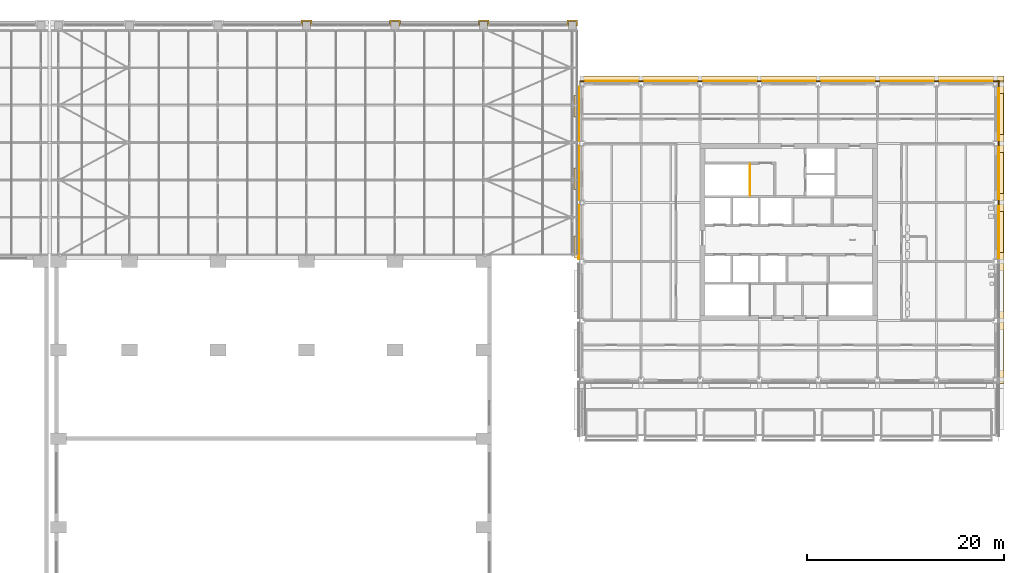
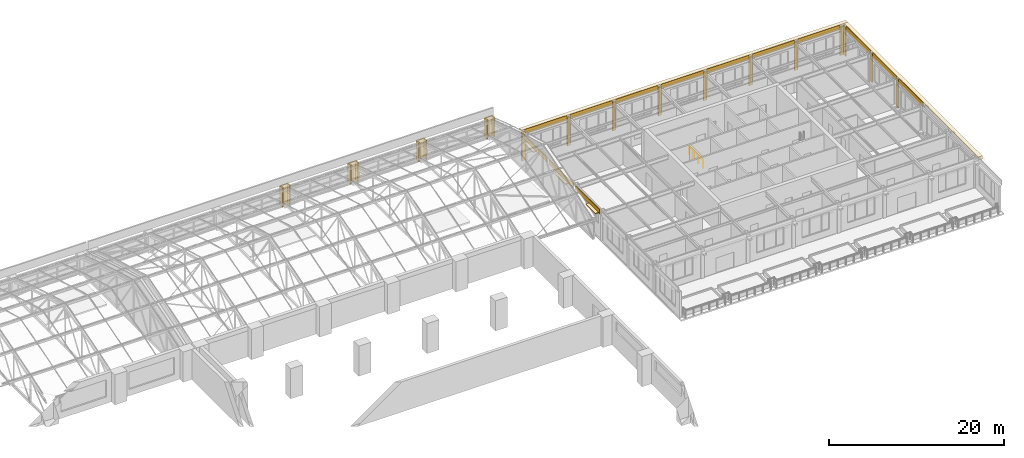
# One storey, part 81 of 82: 36 coverings, 1 railing.
"""IFC4 building model written with IfcOpenShell, lengths in metres."""

from ifc_helpers import new_model, si_unit, direction, frame, origin, origin_2d, place, context, subcontext, project, spatial, polyline, circle, outline, extrude, material, layer, layer_set, type_object, element, save


model = new_model("IFC4")

# Units and contexts
model_context = context("Model", 3, precision=1e-05, world=origin(), true_north=direction((0.0, 1.0)))
body_context = subcontext(model_context, "Body", "Model", "MODEL_VIEW")
ifc_project = project(units=[si_unit("LENGTHUNIT", "METRE"), si_unit("AREAUNIT", "SQUARE_METRE"), si_unit("VOLUMEUNIT", "CUBIC_METRE"), si_unit("PLANEANGLEUNIT", "RADIAN"), si_unit("MASSUNIT", "GRAM", prefix="KILO")], contexts=[model_context])

# Site, building, storey
site_placement = place(None, origin())
site = spatial("IfcSite", under=ifc_project, at=site_placement, CompositionType="ELEMENT")
building_placement = place(site_placement, origin())
building = spatial("IfcBuilding", under=site, at=building_placement, Name="Aravalli Gate Trade Fair Centre", CompositionType="ELEMENT")
storey_placement = place(building_placement, frame((0.0, 0.0, 19.199951171875)))
storey = spatial("IfcBuildingStorey", under=building, at=storey_placement, Name="L04", CompositionType="ELEMENT", Elevation=19.199951171875)

# Coverings
ifc_material_1 = material(Name="Glazed terracotta", Category="masonry")
ifc_layer_1 = layer(ifc_material_1, 0.14990234375)
ifc_layer_set_1 = layer_set([ifc_layer_1], Name="Glazed terracotta")
covering_type_1 = type_object("IfcCoveringType", Name="Terracotta pier casing 150", PredefinedType="CLADDING", material=ifc_layer_set_1)
covering_1_placement = place(storey_placement, origin())
element("IfcCovering", 1, at=covering_1_placement, inside=storey, type_object=covering_type_1, Name="Pier casing K15 L04", PredefinedType="CLADDING", context=body_context, shape_type="SweptSolid", body=[
    extrude(outline(polyline([(131.449951171875, 132.919921875), (131.60009765625, 132.919921875), (131.60009765625, 133.39990234375), (132.39990234375, 133.39990234375), (132.39990234375, 132.919921875), (132.550048828125, 132.919921875), (132.550048828125, 133.550048828125), (131.449951171875, 133.550048828125), (131.449951171875, 132.919921875)])), origin(), (0.0, 0.0, 1.0), 2.699951171875),
])
covering_2_placement = place(storey_placement, origin())
element("IfcCovering", 2, at=covering_2_placement, inside=storey, type_object=covering_type_1, Name="Pier casing K16 L04", PredefinedType="CLADDING", context=body_context, shape_type="SweptSolid", body=[
    extrude(outline(polyline([(140.449951171875, 132.919921875), (140.60009765625, 132.919921875), (140.60009765625, 133.39990234375), (141.39990234375, 133.39990234375), (141.39990234375, 132.919921875), (141.550048828125, 132.919921875), (141.550048828125, 133.550048828125), (140.449951171875, 133.550048828125), (140.449951171875, 132.919921875)])), origin(), (0.0, 0.0, 1.0), 2.699951171875),
])
covering_3_placement = place(storey_placement, origin())
element("IfcCovering", 3, at=covering_3_placement, inside=storey, type_object=covering_type_1, Name="Pier casing K17 L04", PredefinedType="CLADDING", context=body_context, shape_type="SweptSolid", body=[
    extrude(outline(polyline([(149.449951171875, 132.919921875), (149.60009765625, 132.919921875), (149.60009765625, 133.39990234375), (150.39990234375, 133.39990234375), (150.39990234375, 132.919921875), (150.550048828125, 132.919921875), (150.550048828125, 133.550048828125), (149.449951171875, 133.550048828125), (149.449951171875, 132.919921875)])), origin(), (0.0, 0.0, 1.0), 2.699951171875),
])
covering_4_placement = place(storey_placement, origin())
element("IfcCovering", 4, at=covering_4_placement, inside=storey, type_object=covering_type_1, Name="Pier casing KE L04", PredefinedType="CLADDING", context=body_context, shape_type="SweptSolid", body=[
    extrude(outline(polyline([(158.449951171875, 132.919921875), (158.60009765625, 132.919921875), (158.60009765625, 133.39990234375), (159.39990234375, 133.39990234375), (159.39990234375, 132.919921875), (159.550048828125, 132.919921875), (159.550048828125, 133.550048828125), (158.449951171875, 133.550048828125), (158.449951171875, 132.919921875)])), origin(), (0.0, 0.0, 1.0), 2.699951171875),
])
ifc_material_2 = material(Name="Terracotta", Category="masonry")
ifc_layer_2 = layer(ifc_material_2, 0.10009765625)
ifc_layer_set_2 = layer_set([ifc_layer_2], Name="Terracotta")
covering_type_2 = type_object("IfcCoveringType", Name="Wing chhajja hood 100", PredefinedType="MOLDING", material=ifc_layer_set_2)
covering_5_placement = place(storey_placement, frame((0.0, 0.0, 3.60009765625)))
element("IfcCovering", 5, at=covering_5_placement, inside=storey, type_object=covering_type_2, Name="Chhajja hood W3 L04", PredefinedType="MOLDING", context=body_context, shape_type="SweptSolid", body=[
    extrude(outline(polyline([(159.199951171875, 109.425048828125), (159.800048828125, 109.425048828125), (159.800048828125, 111.625), (159.199951171875, 111.625), (159.199951171875, 109.425048828125)])), origin(), (0.0, 0.0, 1.0), 0.099853515625),
])
covering_6_placement = place(storey_placement, frame((0.0, 0.0, 3.5)))
element("IfcCovering", 6, at=covering_6_placement, inside=storey, type_object=covering_type_2, Name="Chhajja hood W4 L04", PredefinedType="MOLDING", context=body_context, shape_type="SweptSolid", body=[
    extrude(outline(polyline([(159.199951171875, 116.324951171875), (159.800048828125, 116.324951171875), (159.800048828125, 118.52490234375), (159.199951171875, 118.52490234375), (159.199951171875, 116.324951171875)])), origin(), (0.0, 0.0, 1.0), 0.10009765625),
])
covering_7_placement = place(storey_placement, frame((0.0, 0.0, 3.5)))
element("IfcCovering", 7, at=covering_7_placement, inside=storey, type_object=covering_type_2, Name="Chhajja hood W5 L04", PredefinedType="MOLDING", context=body_context, shape_type="SweptSolid", body=[
    extrude(outline(polyline([(159.199951171875, 123.675048828125), (159.800048828125, 123.675048828125), (159.800048828125, 125.875), (159.199951171875, 125.875), (159.199951171875, 123.675048828125)])), origin(), (0.0, 0.0, 1.0), 0.10009765625),
])
covering_8_placement = place(storey_placement, frame((0.0, 0.0, 3.449951171875)))
element("IfcCovering", 8, at=covering_8_placement, inside=storey, type_object=covering_type_2, Name="Chhajja hood E3 L04", PredefinedType="MOLDING", context=body_context, shape_type="SweptSolid", body=[
    extrude(outline(polyline([(202.199951171875, 109.89990234375), (202.800048828125, 109.89990234375), (202.800048828125, 114.10009765625), (202.199951171875, 114.10009765625), (202.199951171875, 109.89990234375)])), origin(), (0.0, 0.0, 1.0), 0.10009765625),
])
covering_9_placement = place(storey_placement, frame((0.0, 0.0, 3.449951171875)))
element("IfcCovering", 9, at=covering_9_placement, inside=storey, type_object=covering_type_2, Name="Chhajja hood E4 L04", PredefinedType="MOLDING", context=body_context, shape_type="SweptSolid", body=[
    extrude(outline(polyline([(202.199951171875, 115.89990234375), (202.800048828125, 115.89990234375), (202.800048828125, 120.10009765625), (202.199951171875, 120.10009765625), (202.199951171875, 115.89990234375)])), origin(), (0.0, 0.0, 1.0), 0.10009765625),
])
covering_10_placement = place(storey_placement, frame((0.0, 0.0, 3.449951171875)))
element("IfcCovering", 10, at=covering_10_placement, inside=storey, type_object=covering_type_2, Name="Chhajja hood E5 L04", PredefinedType="MOLDING", context=body_context, shape_type="SweptSolid", body=[
    extrude(outline(polyline([(202.199951171875, 121.89990234375), (202.800048828125, 121.89990234375), (202.800048828125, 126.10009765625), (202.199951171875, 126.10009765625), (202.199951171875, 121.89990234375)])), origin(), (0.0, 0.0, 1.0), 0.10009765625),
])
ifc_material_3 = material(Name="Enamelled terracotta", Category="masonry")
ifc_layer_3 = layer(ifc_material_3, 0.39990234375)
ifc_layer_set_3 = layer_set([ifc_layer_3], Name="Enamelled terracotta")
covering_type_3 = type_object("IfcCoveringType", Name="Wing cornice course A", PredefinedType="MOLDING", material=ifc_layer_set_3)
covering_11_placement = place(storey_placement, frame((0.0, 0.0, 3.75)))
element("IfcCovering", 11, at=covering_11_placement, inside=storey, type_object=covering_type_3, Name="Cornice course A N", PredefinedType="MOLDING", context=body_context, shape_type="SweptSolid", body=[
    extrude(outline(polyline([(159.800048828125, 127.375), (202.875, 127.375), (202.875, 127.875), (159.800048828125, 127.875), (159.800048828125, 127.375)])), origin(), (0.0, 0.0, 1.0), 0.449951171875),
])
covering_12_placement = place(storey_placement, frame((0.0, 0.0, 3.75)))
element("IfcCovering", 12, at=covering_12_placement, inside=storey, type_object=covering_type_3, Name="Cornice course A E", PredefinedType="MOLDING", context=body_context, shape_type="SweptSolid", body=[
    extrude(outline(polyline([(202.375, 96.625), (202.875, 96.625), (202.875, 127.375), (202.375, 127.375), (202.375, 96.625)])), origin(), (0.0, 0.0, 1.0), 0.449951171875),
])
ifc_layer_4 = layer(ifc_material_1, 0.14990234375)
ifc_layer_set_4 = layer_set([ifc_layer_4], Name="Glazed terracotta")
covering_type_4 = type_object("IfcCoveringType", Name="Wing pier casing 150", PredefinedType="CLADDING", material=ifc_layer_set_4)
covering_13_placement = place(storey_placement, origin())
element("IfcCovering", 13, at=covering_13_placement, inside=storey, type_object=covering_type_4, Name="Pier casing 18T4 N L04", PredefinedType="CLADDING", context=body_context, shape_type="SweptSolid", body=[
    extrude(outline(polyline([(159.77490234375, 127.22509765625), (160.22509765625, 127.22509765625), (160.22509765625, 127.375), (159.77490234375, 127.375), (159.77490234375, 127.22509765625)])), origin(), (0.0, 0.0, 1.0), 4.0),
])
covering_14_placement = place(storey_placement, origin())
element("IfcCovering", 14, at=covering_14_placement, inside=storey, type_object=covering_type_4, Name="Pier casing 25T3 E L04", PredefinedType="CLADDING", context=body_context, shape_type="SweptSolid", body=[
    extrude(outline(polyline([(202.22509765625, 114.77490234375), (202.375, 114.77490234375), (202.375, 115.22509765625), (202.22509765625, 115.22509765625), (202.22509765625, 114.77490234375)])), origin(), (0.0, 0.0, 1.0), 4.0),
])
covering_15_placement = place(storey_placement, origin())
element("IfcCovering", 15, at=covering_15_placement, inside=storey, type_object=covering_type_4, Name="Pier casing 25J E L04", PredefinedType="CLADDING", context=body_context, shape_type="SweptSolid", body=[
    extrude(outline(polyline([(202.22509765625, 120.77490234375), (202.375, 120.77490234375), (202.375, 121.22509765625), (202.22509765625, 121.22509765625), (202.22509765625, 120.77490234375)])), origin(), (0.0, 0.0, 1.0), 4.0),
])
covering_16_placement = place(storey_placement, origin())
element("IfcCovering", 16, at=covering_16_placement, inside=storey, type_object=covering_type_4, Name="Pier casing 25T4 N L04", PredefinedType="CLADDING", context=body_context, shape_type="SweptSolid", body=[
    extrude(outline(polyline([(201.77490234375, 127.22509765625), (202.375, 127.22509765625), (202.375, 127.375), (201.77490234375, 127.375), (201.77490234375, 127.22509765625)])), origin(), (0.0, 0.0, 1.0), 4.0),
])
covering_17_placement = place(storey_placement, origin())
element("IfcCovering", 17, at=covering_17_placement, inside=storey, type_object=covering_type_4, Name="Pier casing 25T4 E L04", PredefinedType="CLADDING", context=body_context, shape_type="SweptSolid", body=[
    extrude(outline(polyline([(202.22509765625, 126.77490234375), (202.375, 126.77490234375), (202.375, 127.22509765625), (202.22509765625, 127.22509765625), (202.22509765625, 126.77490234375)])), origin(), (0.0, 0.0, 1.0), 4.0),
])
covering_18_placement = place(storey_placement, origin())
element("IfcCovering", 18, at=covering_18_placement, inside=storey, type_object=covering_type_4, Name="Pier casing 19T4 N L04", PredefinedType="CLADDING", context=body_context, shape_type="SweptSolid", body=[
    extrude(outline(polyline([(165.77490234375, 127.22509765625), (166.22509765625, 127.22509765625), (166.22509765625, 127.375), (165.77490234375, 127.375), (165.77490234375, 127.22509765625)])), origin(), (0.0, 0.0, 1.0), 4.0),
])
covering_19_placement = place(storey_placement, origin())
element("IfcCovering", 19, at=covering_19_placement, inside=storey, type_object=covering_type_4, Name="Pier casing 20T4 N L04", PredefinedType="CLADDING", context=body_context, shape_type="SweptSolid", body=[
    extrude(outline(polyline([(171.77490234375, 127.22509765625), (172.22509765625, 127.22509765625), (172.22509765625, 127.375), (171.77490234375, 127.375), (171.77490234375, 127.22509765625)])), origin(), (0.0, 0.0, 1.0), 4.0),
])
covering_20_placement = place(storey_placement, origin())
element("IfcCovering", 20, at=covering_20_placement, inside=storey, type_object=covering_type_4, Name="Pier casing 21T4 N L04", PredefinedType="CLADDING", context=body_context, shape_type="SweptSolid", body=[
    extrude(outline(polyline([(177.77490234375, 127.22509765625), (178.22509765625, 127.22509765625), (178.22509765625, 127.375), (177.77490234375, 127.375), (177.77490234375, 127.22509765625)])), origin(), (0.0, 0.0, 1.0), 4.0),
])
covering_21_placement = place(storey_placement, origin())
element("IfcCovering", 21, at=covering_21_placement, inside=storey, type_object=covering_type_4, Name="Pier casing 22T4 N L04", PredefinedType="CLADDING", context=body_context, shape_type="SweptSolid", body=[
    extrude(outline(polyline([(183.77490234375, 127.22509765625), (184.22509765625, 127.22509765625), (184.22509765625, 127.375), (183.77490234375, 127.375), (183.77490234375, 127.22509765625)])), origin(), (0.0, 0.0, 1.0), 4.0),
])
covering_22_placement = place(storey_placement, origin())
element("IfcCovering", 22, at=covering_22_placement, inside=storey, type_object=covering_type_4, Name="Pier casing 23T4 N L04", PredefinedType="CLADDING", context=body_context, shape_type="SweptSolid", body=[
    extrude(outline(polyline([(189.77490234375, 127.22509765625), (190.22509765625, 127.22509765625), (190.22509765625, 127.375), (189.77490234375, 127.375), (189.77490234375, 127.22509765625)])), origin(), (0.0, 0.0, 1.0), 4.0),
])
covering_23_placement = place(storey_placement, origin())
element("IfcCovering", 23, at=covering_23_placement, inside=storey, type_object=covering_type_4, Name="Pier casing 24T4 N L04", PredefinedType="CLADDING", context=body_context, shape_type="SweptSolid", body=[
    extrude(outline(polyline([(195.77490234375, 127.22509765625), (196.22509765625, 127.22509765625), (196.22509765625, 127.375), (195.77490234375, 127.375), (195.77490234375, 127.22509765625)])), origin(), (0.0, 0.0, 1.0), 4.0),
])
ifc_layer_5 = layer(ifc_material_1, 0.070068359375)
ifc_layer_set_5 = layer_set([ifc_layer_5], Name="Glazed terracotta")
covering_type_5 = type_object("IfcCoveringType", Name="Wing spandrel band 70", PredefinedType="CLADDING", material=ifc_layer_set_5)
covering_24_placement = place(storey_placement, frame((0.0, 0.0, 3.550048828125)))
element("IfcCovering", 24, at=covering_24_placement, inside=storey, type_object=covering_type_5, Name="Spandrel band N0 L04", PredefinedType="CLADDING", context=body_context, shape_type="SweptSolid", body=[
    extrude(outline(polyline([(160.22509765625, 127.304931640625), (165.77490234375, 127.304931640625), (165.77490234375, 127.375), (160.22509765625, 127.375), (160.22509765625, 127.304931640625)])), origin(), (0.0, 0.0, 1.0), 0.64990234375),
])
covering_25_placement = place(storey_placement, frame((0.0, 0.0, 3.550048828125)))
element("IfcCovering", 25, at=covering_25_placement, inside=storey, type_object=covering_type_5, Name="Spandrel band N1 L04", PredefinedType="CLADDING", context=body_context, shape_type="SweptSolid", body=[
    extrude(outline(polyline([(166.22509765625, 127.304931640625), (171.77490234375, 127.304931640625), (171.77490234375, 127.375), (166.22509765625, 127.375), (166.22509765625, 127.304931640625)])), origin(), (0.0, 0.0, 1.0), 0.64990234375),
])
covering_26_placement = place(storey_placement, frame((0.0, 0.0, 3.550048828125)))
element("IfcCovering", 26, at=covering_26_placement, inside=storey, type_object=covering_type_5, Name="Spandrel band N2 L04", PredefinedType="CLADDING", context=body_context, shape_type="SweptSolid", body=[
    extrude(outline(polyline([(172.22509765625, 127.304931640625), (177.77490234375, 127.304931640625), (177.77490234375, 127.375), (172.22509765625, 127.375), (172.22509765625, 127.304931640625)])), origin(), (0.0, 0.0, 1.0), 0.64990234375),
])
covering_27_placement = place(storey_placement, frame((0.0, 0.0, 3.550048828125)))
element("IfcCovering", 27, at=covering_27_placement, inside=storey, type_object=covering_type_5, Name="Spandrel band N3 L04", PredefinedType="CLADDING", context=body_context, shape_type="SweptSolid", body=[
    extrude(outline(polyline([(178.22509765625, 127.304931640625), (183.77490234375, 127.304931640625), (183.77490234375, 127.375), (178.22509765625, 127.375), (178.22509765625, 127.304931640625)])), origin(), (0.0, 0.0, 1.0), 0.64990234375),
])
covering_28_placement = place(storey_placement, frame((0.0, 0.0, 3.550048828125)))
element("IfcCovering", 28, at=covering_28_placement, inside=storey, type_object=covering_type_5, Name="Spandrel band N4 L04", PredefinedType="CLADDING", context=body_context, shape_type="SweptSolid", body=[
    extrude(outline(polyline([(184.22509765625, 127.304931640625), (189.77490234375, 127.304931640625), (189.77490234375, 127.375), (184.22509765625, 127.375), (184.22509765625, 127.304931640625)])), origin(), (0.0, 0.0, 1.0), 0.64990234375),
])
covering_29_placement = place(storey_placement, frame((0.0, 0.0, 3.550048828125)))
element("IfcCovering", 29, at=covering_29_placement, inside=storey, type_object=covering_type_5, Name="Spandrel band N5 L04", PredefinedType="CLADDING", context=body_context, shape_type="SweptSolid", body=[
    extrude(outline(polyline([(190.22509765625, 127.304931640625), (195.77490234375, 127.304931640625), (195.77490234375, 127.375), (190.22509765625, 127.375), (190.22509765625, 127.304931640625)])), origin(), (0.0, 0.0, 1.0), 0.64990234375),
])
covering_30_placement = place(storey_placement, frame((0.0, 0.0, 3.550048828125)))
element("IfcCovering", 30, at=covering_30_placement, inside=storey, type_object=covering_type_5, Name="Spandrel band N6 L04", PredefinedType="CLADDING", context=body_context, shape_type="SweptSolid", body=[
    extrude(outline(polyline([(196.22509765625, 127.304931640625), (201.77490234375, 127.304931640625), (201.77490234375, 127.375), (196.22509765625, 127.375), (196.22509765625, 127.304931640625)])), origin(), (0.0, 0.0, 1.0), 0.64990234375),
])
covering_31_placement = place(storey_placement, frame((0.0, 0.0, 3.550048828125)))
element("IfcCovering", 31, at=covering_31_placement, inside=storey, type_object=covering_type_5, Name="Spandrel band W3 L04", PredefinedType="CLADDING", context=body_context, shape_type="SweptSolid", body=[
    extrude(outline(polyline([(159.625, 109.22509765625), (159.695068359375, 109.22509765625), (159.695068359375, 114.77490234375), (159.625, 114.77490234375), (159.625, 109.22509765625)])), origin(), (0.0, 0.0, 1.0), 0.64990234375),
])
covering_32_placement = place(storey_placement, frame((0.0, 0.0, 3.550048828125)))
element("IfcCovering", 32, at=covering_32_placement, inside=storey, type_object=covering_type_5, Name="Spandrel band W4 L04", PredefinedType="CLADDING", context=body_context, shape_type="SweptSolid", body=[
    extrude(outline(polyline([(159.625, 115.22509765625), (159.695068359375, 115.22509765625), (159.695068359375, 120.77490234375), (159.625, 120.77490234375), (159.625, 115.22509765625)])), origin(), (0.0, 0.0, 1.0), 0.64990234375),
])
covering_33_placement = place(storey_placement, frame((0.0, 0.0, 3.550048828125)))
element("IfcCovering", 33, at=covering_33_placement, inside=storey, type_object=covering_type_5, Name="Spandrel band W5 L04", PredefinedType="CLADDING", context=body_context, shape_type="SweptSolid", body=[
    extrude(outline(polyline([(159.625, 121.22509765625), (159.695068359375, 121.22509765625), (159.695068359375, 126.77490234375), (159.625, 126.77490234375), (159.625, 121.22509765625)])), origin(), (0.0, 0.0, 1.0), 0.64990234375),
])
covering_34_placement = place(storey_placement, frame((0.0, 0.0, 3.550048828125)))
element("IfcCovering", 34, at=covering_34_placement, inside=storey, type_object=covering_type_5, Name="Spandrel band E3 L04", PredefinedType="CLADDING", context=body_context, shape_type="SweptSolid", body=[
    extrude(outline(polyline([(202.304931640625, 109.22509765625), (202.375, 109.22509765625), (202.375, 114.77490234375), (202.304931640625, 114.77490234375), (202.304931640625, 109.22509765625)])), origin(), (0.0, 0.0, 1.0), 0.64990234375),
])
covering_35_placement = place(storey_placement, frame((0.0, 0.0, 3.550048828125)))
element("IfcCovering", 35, at=covering_35_placement, inside=storey, type_object=covering_type_5, Name="Spandrel band E4 L04", PredefinedType="CLADDING", context=body_context, shape_type="SweptSolid", body=[
    extrude(outline(polyline([(202.304931640625, 115.22509765625), (202.375, 115.22509765625), (202.375, 120.77490234375), (202.304931640625, 120.77490234375), (202.304931640625, 115.22509765625)])), origin(), (0.0, 0.0, 1.0), 0.64990234375),
])
covering_36_placement = place(storey_placement, frame((0.0, 0.0, 3.550048828125)))
element("IfcCovering", 36, at=covering_36_placement, inside=storey, type_object=covering_type_5, Name="Spandrel band E5 L04", PredefinedType="CLADDING", context=body_context, shape_type="SweptSolid", body=[
    extrude(outline(polyline([(202.304931640625, 121.22509765625), (202.375, 121.22509765625), (202.375, 126.77490234375), (202.304931640625, 126.77490234375), (202.304931640625, 121.22509765625)])), origin(), (0.0, 0.0, 1.0), 0.64990234375),
])

# Railing
ifc_material_4 = material(Name="Steel E350", Category="steel")
railing_type = type_object("IfcRailingType", Name="Wing stair roof guard", PredefinedType="GUARDRAIL", material=ifc_material_4)
railing_placement = place(storey_placement, frame((177.050048828125, 115.699951171875, 0.0)))
element("IfcRailing", 37, at=railing_placement, inside=storey, type_object=railing_type, Name="Guard FFS landing L04", PredefinedType="GUARDRAIL", context=body_context, shape_type="SweptSolid", body=[
    extrude(circle(Radius=0.02392578125, at=origin_2d()), frame((0.0, 0.0, 1.076171875), z_axis=(0.0, 1.0, 0.0), x_axis=(-1.0, 0.0, 0.0)), (0.0, 0.0, 1.0), 3.199951171875),
    extrude(circle(Radius=0.02099609375, at=origin_2d()), origin(), (0.0, 0.0, 1.0), 1.052001953125),
    extrude(circle(Radius=0.02099609375, at=origin_2d()), frame((0.0, 1.066650390625, 0.0)), (0.0, 0.0, 1.0), 1.052001953125),
    extrude(circle(Radius=0.02099609375, at=origin_2d()), frame((0.0, 2.13330078125, 0.0)), (0.0, 0.0, 1.0), 1.052001953125),
    extrude(circle(Radius=0.02099609375, at=origin_2d()), frame((0.0, 3.199951171875, 0.0)), (0.0, 0.0, 1.0), 1.052001953125),
])

save(model, "model.ifc")
